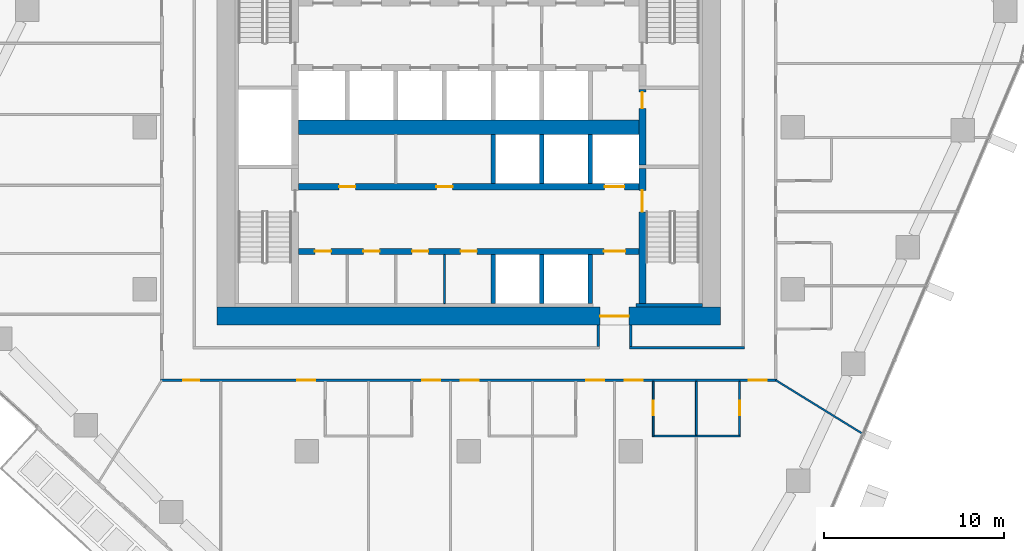
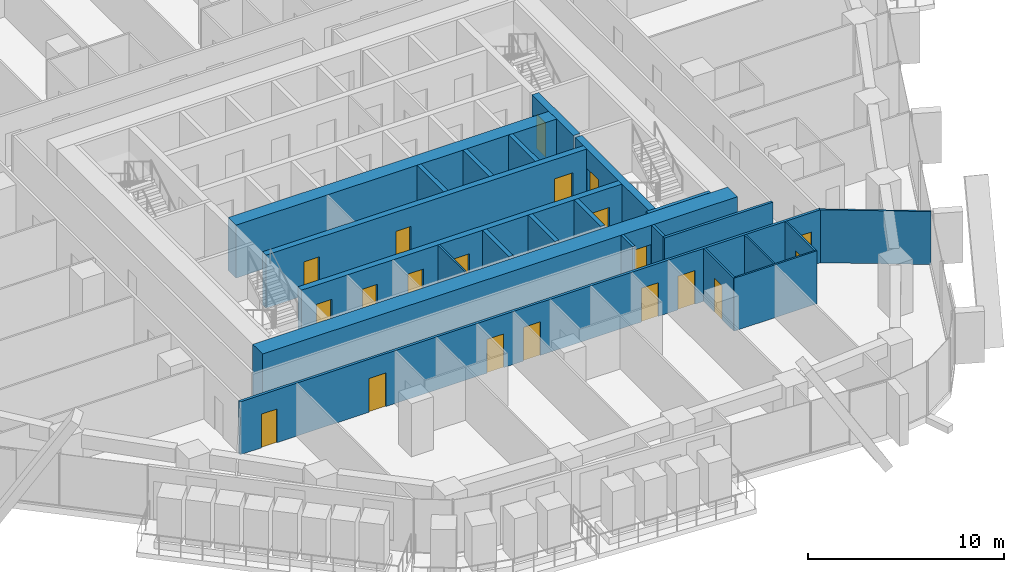
# One storey, part 13 of 23: 23 walls, 20 doors, 20 openings.
"""IFC4 building model written with IfcOpenShell, lengths in metres."""

from ifc_helpers import new_model, si_unit, direction, frame, frame_2d, origin, place, context, subcontext, project, spatial, rectangle, extrude, material, layer, layer_set, type_object, element, fill, save


model = new_model("IFC4")

# Units and contexts
model_context = context("Model", 3, precision=1e-05, world=origin(), true_north=direction((0.0, 1.0)))
body_context = subcontext(model_context, "Body", "Model", "MODEL_VIEW")
ifc_project = project(units=[si_unit("LENGTHUNIT", "METRE"), si_unit("AREAUNIT", "SQUARE_METRE"), si_unit("VOLUMEUNIT", "CUBIC_METRE"), si_unit("PLANEANGLEUNIT", "RADIAN"), si_unit("MASSUNIT", "GRAM", prefix="KILO")], contexts=[model_context])

# Site, building, storey
site_placement = place(None, origin())
site = spatial("IfcSite", under=ifc_project, at=site_placement, CompositionType="ELEMENT")
building_placement = place(site_placement, origin())
building = spatial("IfcBuilding", under=site, at=building_placement, Name="Dongbaek Canopy Tower", CompositionType="ELEMENT")
storey_placement = place(building_placement, frame((0.0, 0.0, 121.10009765625)))
storey = spatial("IfcBuildingStorey", under=building, at=storey_placement, Name="L26", CompositionType="ELEMENT", Elevation=121.10009765625)

# Wall
ifc_material_1 = material(Name="Concrete C60/75", Category="concrete")
ifc_layer_1 = layer(ifc_material_1, 0.800048828125)
ifc_layer_set_1 = layer_set([ifc_layer_1], Name="Core central wall 800 Concrete C60/75")
wall_type_1 = type_object("IfcWallType", Name="Core central wall 800 Concrete C60/75", PredefinedType="SHEAR", material=ifc_layer_set_1)
wall_1_placement = place(storey_placement, frame((-9.449951171875, 0.0, 0.0), z_axis=(0.0, 0.0, 1.0), x_axis=(1.0, 0.0, 0.0)))
element("IfcWall", 1, at=wall_1_placement, inside=storey, type_object=wall_type_1, Name="Core wall", PredefinedType="SHEAR", context=body_context, shape_type="SweptSolid", body=[
    extrude(rectangle(XDim=18.89990234375, YDim=0.800048828125, at=frame_2d((9.449951171875, 0.0))), origin(), (0.0, 0.0, 1.0), 3.2998046875),
])

# Wall, openings, doors
ifc_material_2 = material(Name="Concrete C60/75", Category="concrete")
ifc_layer_2 = layer(ifc_material_2, 0.35009765625)
ifc_layer_set_2 = layer_set([ifc_layer_2], Name="Core lobby wall 350 Concrete C60/75")
wall_type_2 = type_object("IfcWallType", Name="Core lobby wall 350 Concrete C60/75", PredefinedType="SHEAR", material=ifc_layer_set_2)
wall_2_placement = place(storey_placement, frame((-9.449951171875, -3.300048828125, 0.0), z_axis=(0.0, 0.0, 1.0), x_axis=(1.0, 0.0, 0.0)))
wall_2 = element("IfcWall", 2, at=wall_2_placement, inside=storey, type_object=wall_type_2, Name="Core wall", PredefinedType="SHEAR", context=body_context, shape_type="SweptSolid", body=[
    extrude(rectangle(XDim=18.89990234375, YDim=0.35009765625, at=frame_2d((9.449951171875, 0.0))), origin(), (0.0, 0.0, 1.0), 3.2998046875),
])
opening_1_placement = place(wall_2_placement, frame((17.0, 0.0, 0.0)))
opening_1 = element("IfcOpeningElement", 3, at=opening_1_placement, cuts=wall_2, Name="Opening L26-D059", PredefinedType="OPENING", context=body_context, shape_type="SweptSolid", body=[
    extrude(rectangle(XDim=1.10009765625, YDim=2.10009765625, at=frame_2d((0.550048828125, 1.050048828125))), frame((0.0, 0.18505859375, 0.0), z_axis=(0.0, -1.0, 0.0), x_axis=(1.0, 0.0, 0.0)), (0.0, 0.0, 1.0), 0.3701171875),
])
opening_2_placement = place(wall_2_placement, frame((2.25, 0.0, 0.0)))
opening_2 = element("IfcOpeningElement", 4, at=opening_2_placement, cuts=wall_2, Name="Opening L26-D062", PredefinedType="OPENING", context=body_context, shape_type="SweptSolid", body=[
    extrude(rectangle(XDim=0.89990234375, YDim=2.10009765625, at=frame_2d((0.449951171875, 1.050048828125))), frame((0.0, 0.18505859375, 0.0), z_axis=(0.0, -1.0, 0.0), x_axis=(1.0, 0.0, 0.0)), (0.0, 0.0, 1.0), 0.3701171875),
])
opening_3_placement = place(wall_2_placement, frame((7.64990234375, 0.0, 0.0)))
opening_3 = element("IfcOpeningElement", 5, at=opening_3_placement, cuts=wall_2, Name="Opening L26-D063", PredefinedType="OPENING", context=body_context, shape_type="SweptSolid", body=[
    extrude(rectangle(XDim=0.89990234375, YDim=2.10009765625, at=frame_2d((0.449951171875, 1.050048828125))), frame((0.0, 0.18505859375, 0.0), z_axis=(0.0, -1.0, 0.0), x_axis=(1.0, 0.0, 0.0)), (0.0, 0.0, 1.0), 0.3701171875),
])
ifc_material_3 = material(Name="Steel", Category="steel")
door_type_1 = type_object("IfcDoorType", Name="Core room door 900 x 2100", OperationType="SINGLE_SWING_LEFT", PredefinedType="DOOR", material=ifc_material_3)
door_1_placement = place(opening_2_placement, origin())
door_1 = element("IfcDoor", 6, at=door_1_placement, inside=storey, type_object=door_type_1, Name="Door L26-D062", OperationType="SINGLE_SWING_RIGHT", OverallHeight=2.10009765625, OverallWidth=0.89990234375, PredefinedType="DOOR", context=body_context, shape_type="SweptSolid", body=[
    extrude(rectangle(XDim=0.89990234375, YDim=2.10009765625, at=frame_2d((0.449951171875, 1.050048828125))), frame((0.0, 0.02490234375, 0.0), z_axis=(0.0, -1.0, 0.0), x_axis=(1.0, 0.0, 0.0)), (0.0, 0.0, 1.0), 0.050048828125),
])
fill(opening_2, door_1)
door_2_placement = place(opening_3_placement, origin())
door_2 = element("IfcDoor", 7, at=door_2_placement, inside=storey, type_object=door_type_1, Name="Door L26-D063", OperationType="SINGLE_SWING_LEFT", OverallHeight=2.10009765625, OverallWidth=0.89990234375, PredefinedType="DOOR", context=body_context, shape_type="SweptSolid", body=[
    extrude(rectangle(XDim=0.89990234375, YDim=2.10009765625, at=frame_2d((0.449951171875, 1.050048828125))), frame((0.0, 0.02490234375, 0.0), z_axis=(0.0, -1.0, 0.0), x_axis=(1.0, 0.0, 0.0)), (0.0, 0.0, 1.0), 0.050048828125),
])
fill(opening_3, door_2)
ifc_material_4 = material(Name="Stainless steel", Category="steel")
door_type_2 = type_object("IfcDoorType", Name="Lift landing door 1100 x 2100", OperationType="DOUBLE_DOOR_SLIDING", PredefinedType="DOOR", material=ifc_material_4)
door_3_placement = place(opening_1_placement, origin())
door_3 = element("IfcDoor", 8, at=door_3_placement, inside=storey, type_object=door_type_2, Name="Landing door SV2", OperationType="DOUBLE_DOOR_SLIDING", OverallHeight=2.10009765625, OverallWidth=1.10009765625, PredefinedType="DOOR", context=body_context, shape_type="SweptSolid", body=[
    extrude(rectangle(XDim=1.10009765625, YDim=2.10009765625, at=frame_2d((0.550048828125, 1.050048828125))), frame((0.0, 0.02490234375, 0.0), z_axis=(0.0, -1.0, 0.0), x_axis=(1.0, 0.0, 0.0)), (0.0, 0.0, 1.0), 0.050048828125),
])
fill(opening_1, door_3)

wall_3_placement = place(storey_placement, frame((9.449951171875, -6.89990234375, 0.0), z_axis=(0.0, 0.0, 1.0), x_axis=(-1.0, 0.0, 0.0)))
wall_3 = element("IfcWall", 9, at=wall_3_placement, inside=storey, type_object=wall_type_2, Name="Core wall", PredefinedType="SHEAR", context=body_context, shape_type="SweptSolid", body=[
    extrude(rectangle(XDim=18.89990234375, YDim=0.35009765625, at=frame_2d((9.449951171875, 0.0))), origin(), (0.0, 0.0, 1.0), 3.2998046875),
])
opening_4_placement = place(wall_3_placement, frame((0.75, 0.0, 0.0)))
opening_4 = element("IfcOpeningElement", 10, at=opening_4_placement, cuts=wall_3, Name="Opening L26-D061", PredefinedType="OPENING", context=body_context, shape_type="SweptSolid", body=[
    extrude(rectangle(XDim=1.199951171875, YDim=2.10009765625, at=frame_2d((0.60009765625, 1.050048828125))), frame((0.0, 0.18505859375, 0.0), z_axis=(0.0, -1.0, 0.0), x_axis=(1.0, 0.0, 0.0)), (0.0, 0.0, 1.0), 0.3701171875),
])
opening_5_placement = place(wall_3_placement, frame((17.10009765625, 0.0, 0.0)))
opening_5 = element("IfcOpeningElement", 11, at=opening_5_placement, cuts=wall_3, Name="Opening L26-D064", PredefinedType="OPENING", context=body_context, shape_type="SweptSolid", body=[
    extrude(rectangle(XDim=0.89990234375, YDim=2.10009765625, at=frame_2d((0.449951171875, 1.050048828125))), frame((0.0, 0.18505859375, 0.0), z_axis=(0.0, -1.0, 0.0), x_axis=(1.0, 0.0, 0.0)), (0.0, 0.0, 1.0), 0.3701171875),
])
opening_6_placement = place(wall_3_placement, frame((14.39990234375, 0.0, 0.0)))
opening_6 = element("IfcOpeningElement", 12, at=opening_6_placement, cuts=wall_3, Name="Opening L26-D065", PredefinedType="OPENING", context=body_context, shape_type="SweptSolid", body=[
    extrude(rectangle(XDim=0.89990234375, YDim=2.10009765625, at=frame_2d((0.449951171875, 1.050048828125))), frame((0.0, 0.18505859375, 0.0), z_axis=(0.0, -1.0, 0.0), x_axis=(1.0, 0.0, 0.0)), (0.0, 0.0, 1.0), 0.3701171875),
])
opening_7_placement = place(wall_3_placement, frame((11.699951171875, 0.0, 0.0)))
opening_7 = element("IfcOpeningElement", 13, at=opening_7_placement, cuts=wall_3, Name="Opening L26-D066", PredefinedType="OPENING", context=body_context, shape_type="SweptSolid", body=[
    extrude(rectangle(XDim=0.89990234375, YDim=2.10009765625, at=frame_2d((0.449951171875, 1.050048828125))), frame((0.0, 0.18505859375, 0.0), z_axis=(0.0, -1.0, 0.0), x_axis=(1.0, 0.0, 0.0)), (0.0, 0.0, 1.0), 0.3701171875),
])
opening_8_placement = place(wall_3_placement, frame((9.0, 0.0, 0.0)))
opening_8 = element("IfcOpeningElement", 14, at=opening_8_placement, cuts=wall_3, Name="Opening L26-D067", PredefinedType="OPENING", context=body_context, shape_type="SweptSolid", body=[
    extrude(rectangle(XDim=0.89990234375, YDim=2.10009765625, at=frame_2d((0.449951171875, 1.050048828125))), frame((0.0, 0.18505859375, 0.0), z_axis=(0.0, -1.0, 0.0), x_axis=(1.0, 0.0, 0.0)), (0.0, 0.0, 1.0), 0.3701171875),
])
door_4_placement = place(opening_5_placement, origin())
door_4 = element("IfcDoor", 15, at=door_4_placement, inside=storey, type_object=door_type_1, Name="Door L26-D064", OperationType="SINGLE_SWING_RIGHT", OverallHeight=2.10009765625, OverallWidth=0.89990234375, PredefinedType="DOOR", context=body_context, shape_type="SweptSolid", body=[
    extrude(rectangle(XDim=0.89990234375, YDim=2.10009765625, at=frame_2d((0.449951171875, 1.050048828125))), frame((0.0, 0.02490234375, 0.0), z_axis=(0.0, -1.0, 0.0), x_axis=(1.0, 0.0, 0.0)), (0.0, 0.0, 1.0), 0.050048828125),
])
fill(opening_5, door_4)
door_5_placement = place(opening_6_placement, origin())
door_5 = element("IfcDoor", 16, at=door_5_placement, inside=storey, type_object=door_type_1, Name="Door L26-D065", OperationType="SINGLE_SWING_LEFT", OverallHeight=2.10009765625, OverallWidth=0.89990234375, PredefinedType="DOOR", context=body_context, shape_type="SweptSolid", body=[
    extrude(rectangle(XDim=0.89990234375, YDim=2.10009765625, at=frame_2d((0.449951171875, 1.050048828125))), frame((0.0, 0.02490234375, 0.0), z_axis=(0.0, -1.0, 0.0), x_axis=(1.0, 0.0, 0.0)), (0.0, 0.0, 1.0), 0.050048828125),
])
fill(opening_6, door_5)
door_6_placement = place(opening_7_placement, origin())
door_6 = element("IfcDoor", 17, at=door_6_placement, inside=storey, type_object=door_type_1, Name="Door L26-D066", OperationType="SINGLE_SWING_RIGHT", OverallHeight=2.10009765625, OverallWidth=0.89990234375, PredefinedType="DOOR", context=body_context, shape_type="SweptSolid", body=[
    extrude(rectangle(XDim=0.89990234375, YDim=2.10009765625, at=frame_2d((0.449951171875, 1.050048828125))), frame((0.0, 0.02490234375, 0.0), z_axis=(0.0, -1.0, 0.0), x_axis=(1.0, 0.0, 0.0)), (0.0, 0.0, 1.0), 0.050048828125),
])
fill(opening_7, door_6)
door_7_placement = place(opening_8_placement, origin())
door_7 = element("IfcDoor", 18, at=door_7_placement, inside=storey, type_object=door_type_1, Name="Door L26-D067", OperationType="SINGLE_SWING_LEFT", OverallHeight=2.10009765625, OverallWidth=0.89990234375, PredefinedType="DOOR", context=body_context, shape_type="SweptSolid", body=[
    extrude(rectangle(XDim=0.89990234375, YDim=2.10009765625, at=frame_2d((0.449951171875, 1.050048828125))), frame((0.0, 0.02490234375, 0.0), z_axis=(0.0, -1.0, 0.0), x_axis=(1.0, 0.0, 0.0)), (0.0, 0.0, 1.0), 0.050048828125),
])
fill(opening_8, door_7)
ifc_material_5 = material(Name="Steel", Category="steel")
door_type_3 = type_object("IfcDoorType", Name="Fire lobby door 1200 x 2100", OperationType="SINGLE_SWING_LEFT", PredefinedType="DOOR", material=ifc_material_5)
door_8_placement = place(opening_4_placement, origin())
door_8 = element("IfcDoor", 19, at=door_8_placement, inside=storey, type_object=door_type_3, Name="Door L26-D061", OperationType="SINGLE_SWING_LEFT", OverallHeight=2.10009765625, OverallWidth=1.199951171875, PredefinedType="DOOR", context=body_context, shape_type="SweptSolid", body=[
    extrude(rectangle(XDim=1.199951171875, YDim=2.10009765625, at=frame_2d((0.60009765625, 1.050048828125))), frame((0.0, 0.02490234375, 0.0), z_axis=(0.0, -1.0, 0.0), x_axis=(1.0, 0.0, 0.0)), (0.0, 0.0, 1.0), 0.050048828125),
])
fill(opening_4, door_8)

# Wall, opening, door
ifc_material_6 = material(Name="Concrete C60/75", Category="concrete")
ifc_layer_3 = layer(ifc_material_6, 1.0)
ifc_layer_set_3 = layer_set([ifc_layer_3], Name="Core outer wall 1000 Concrete C60/75")
wall_type_3 = type_object("IfcWallType", Name="Core outer wall 1000 Concrete C60/75", PredefinedType="SHEAR", material=ifc_layer_set_3)
wall_4_placement = place(storey_placement, frame((14.0, -10.5, 0.0), z_axis=(0.0, 0.0, 1.0), x_axis=(-1.0, 0.0, 0.0)))
wall_4 = element("IfcWall", 20, at=wall_4_placement, inside=storey, type_object=wall_type_3, Name="Core wall", PredefinedType="SHEAR", context=body_context, shape_type="SweptSolid", body=[
    extrude(rectangle(XDim=28.0, YDim=1.0, at=frame_2d((14.0, 0.0))), origin(), (0.0, 0.0, 1.0), 3.2998046875),
])
opening_9_placement = place(wall_4_placement, frame((5.10009765625, 0.0, 0.0)))
opening_9 = element("IfcOpeningElement", 21, at=opening_9_placement, cuts=wall_4, Name="Opening L26-D060", PredefinedType="OPENING", context=body_context, shape_type="SweptSolid", body=[
    extrude(rectangle(XDim=1.60009765625, YDim=2.10009765625, at=frame_2d((0.800048828125, 1.050048828125))), frame((0.0, 0.510009765625, 0.0), z_axis=(0.0, -1.0, 0.0), x_axis=(1.0, 0.0, 0.0)), (0.0, 0.0, 1.0), 1.02001953125),
])
ifc_material_7 = material(Name="Steel", Category="steel")
door_type_4 = type_object("IfcDoorType", Name="Core exit door 1600 x 2100", OperationType="DOUBLE_DOOR_SINGLE_SWING", PredefinedType="DOOR", material=ifc_material_7)
door_9_placement = place(opening_9_placement, origin())
door_9 = element("IfcDoor", 22, at=door_9_placement, inside=storey, type_object=door_type_4, Name="Core exit door", OperationType="DOUBLE_DOOR_SINGLE_SWING", OverallHeight=2.10009765625, OverallWidth=1.60009765625, PredefinedType="DOOR", context=body_context, shape_type="SweptSolid", body=[
    extrude(rectangle(XDim=1.60009765625, YDim=2.10009765625, at=frame_2d((0.800048828125, 1.050048828125))), frame((0.0, 0.02490234375, 0.0), z_axis=(0.0, -1.0, 0.0), x_axis=(1.0, 0.0, 0.0)), (0.0, 0.0, 1.0), 0.050048828125),
])
fill(opening_9, door_9)

# Wall
ifc_material_8 = material(Name="Concrete C60/75", Category="concrete")
ifc_layer_4 = layer(ifc_material_8, 0.199951171875)
ifc_layer_set_4 = layer_set([ifc_layer_4], Name="Core wall lining 200 Concrete C60/75")
wall_type_4 = type_object("IfcWallType", Name="Core wall lining 200 Concrete C60/75", PredefinedType="SHEAR", material=ifc_layer_set_4)
wall_5_placement = place(storey_placement, frame((13.0, -9.89990234375, 0.0), z_axis=(0.0, 0.0, 1.0), x_axis=(-1.0, 0.0, 0.0)))
element("IfcWall", 23, at=wall_5_placement, inside=storey, type_object=wall_type_4, Name="Core wall lining", PredefinedType="SHEAR", context=body_context, shape_type="SweptSolid", body=[
    extrude(rectangle(XDim=3.699951171875, YDim=0.199951171875, at=frame_2d((1.85009765625, 0.0))), origin(), (0.0, 0.0, 1.0), 3.2998046875),
])

# Wall, openings, doors
ifc_material_9 = material(Name="Gypsum board partition, steel stud, 2 x 15 mm fire board", Category="steel")
ifc_layer_5 = layer(ifc_material_9, 0.14990234375)
ifc_layer_set_5 = layer_set([ifc_layer_5], Name="Fire-rated partition 150 gypsum board")
wall_type_5 = type_object("IfcWallType", Name="Fire-rated partition 150 gypsum board", PredefinedType="PARTITIONING", material=ifc_layer_set_5)
wall_6_placement = place(storey_placement, frame((17.125, -14.050048828125, 0.0), z_axis=(0.0, 0.0, 1.0), x_axis=(-1.0, 0.0, 0.0)))
wall_6 = element("IfcWall", 24, at=wall_6_placement, inside=storey, type_object=wall_type_5, Name="Corridor partition", PredefinedType="PARTITIONING", context=body_context, shape_type="SweptSolid", body=[
    extrude(rectangle(XDim=34.25, YDim=0.14990234375, at=frame_2d((17.125, 0.0))), origin(), (0.0, 0.0, 1.0), 3.2998046875),
])
opening_10_placement = place(wall_6_placement, frame((32.088623046875, 0.0, 0.0)))
opening_10 = element("IfcOpeningElement", 25, at=opening_10_placement, cuts=wall_6, Name="Opening L26-D004", PredefinedType="OPENING", context=body_context, shape_type="SweptSolid", body=[
    extrude(rectangle(XDim=0.89990234375, YDim=2.10009765625, at=frame_2d((0.449951171875, 1.050048828125))), frame((0.0, 0.0849609375, 0.0), z_axis=(0.0, -1.0, 0.0), x_axis=(1.0, 0.0, 0.0)), (0.0, 0.0, 1.0), 0.169921875),
])
opening_11_placement = place(wall_6_placement, frame((25.666015625, 0.0, 0.0)))
opening_11 = element("IfcOpeningElement", 26, at=opening_11_placement, cuts=wall_6, Name="Opening L26-D006", PredefinedType="OPENING", context=body_context, shape_type="SweptSolid", body=[
    extrude(rectangle(XDim=1.0, YDim=2.10009765625, at=frame_2d((0.5, 1.050048828125))), frame((0.0, 0.0849609375, 0.0), z_axis=(0.0, -1.0, 0.0), x_axis=(1.0, 0.0, 0.0)), (0.0, 0.0, 1.0), 0.169921875),
])
opening_12_placement = place(wall_6_placement, frame((18.714111328125, 0.0, 0.0)))
opening_12 = element("IfcOpeningElement", 27, at=opening_12_placement, cuts=wall_6, Name="Opening L26-D008", PredefinedType="OPENING", context=body_context, shape_type="SweptSolid", body=[
    extrude(rectangle(XDim=1.0, YDim=2.10009765625, at=frame_2d((0.5, 1.050048828125))), frame((0.0, 0.0849609375, 0.0), z_axis=(0.0, -1.0, 0.0), x_axis=(1.0, 0.0, 0.0)), (0.0, 0.0, 1.0), 0.169921875),
])
opening_13_placement = place(wall_6_placement, frame((16.557861328125, 0.0, 0.0)))
opening_13 = element("IfcOpeningElement", 28, at=opening_13_placement, cuts=wall_6, Name="Opening L26-D010", PredefinedType="OPENING", context=body_context, shape_type="SweptSolid", body=[
    extrude(rectangle(XDim=1.0, YDim=2.10009765625, at=frame_2d((0.5, 1.050048828125))), frame((0.0, 0.0849609375, 0.0), z_axis=(0.0, -1.0, 0.0), x_axis=(1.0, 0.0, 0.0)), (0.0, 0.0, 1.0), 0.169921875),
])
opening_14_placement = place(wall_6_placement, frame((9.601806640625, 0.0, 0.0)))
opening_14 = element("IfcOpeningElement", 29, at=opening_14_placement, cuts=wall_6, Name="Opening L26-D012", PredefinedType="OPENING", context=body_context, shape_type="SweptSolid", body=[
    extrude(rectangle(XDim=1.0, YDim=2.10009765625, at=frame_2d((0.5, 1.050048828125))), frame((0.0, 0.0849609375, 0.0), z_axis=(0.0, -1.0, 0.0), x_axis=(1.0, 0.0, 0.0)), (0.0, 0.0, 1.0), 0.169921875),
])
opening_15_placement = place(wall_6_placement, frame((7.45068359375, 0.0, 0.0)))
opening_15 = element("IfcOpeningElement", 30, at=opening_15_placement, cuts=wall_6, Name="Opening L26-D014", PredefinedType="OPENING", context=body_context, shape_type="SweptSolid", body=[
    extrude(rectangle(XDim=1.0, YDim=2.10009765625, at=frame_2d((0.5, 1.050048828125))), frame((0.0, 0.0849609375, 0.0), z_axis=(0.0, -1.0, 0.0), x_axis=(1.0, 0.0, 0.0)), (0.0, 0.0, 1.0), 0.169921875),
])
opening_16_placement = place(wall_6_placement, frame((0.576416015625, 0.0, 0.0)))
opening_16 = element("IfcOpeningElement", 31, at=opening_16_placement, cuts=wall_6, Name="Opening L26-D016", PredefinedType="OPENING", context=body_context, shape_type="SweptSolid", body=[
    extrude(rectangle(XDim=1.0, YDim=2.10009765625, at=frame_2d((0.5, 1.050048828125))), frame((0.0, 0.0849609375, 0.0), z_axis=(0.0, -1.0, 0.0), x_axis=(1.0, 0.0, 0.0)), (0.0, 0.0, 1.0), 0.169921875),
])
ifc_material_10 = material(Name="Timber veneered door leaf", Category="wood")
door_type_5 = type_object("IfcDoorType", Name="Guest room door 1000 x 2100", OperationType="SINGLE_SWING_LEFT", PredefinedType="DOOR", material=ifc_material_10)
door_10_placement = place(opening_11_placement, origin())
door_10 = element("IfcDoor", 32, at=door_10_placement, inside=storey, type_object=door_type_5, Name="Door L26-D006", OperationType="SINGLE_SWING_LEFT", OverallHeight=2.10009765625, OverallWidth=1.0, PredefinedType="DOOR", context=body_context, shape_type="SweptSolid", body=[
    extrude(rectangle(XDim=1.0, YDim=2.10009765625, at=frame_2d((0.5, 1.050048828125))), frame((0.0, 0.02490234375, 0.0), z_axis=(0.0, -1.0, 0.0), x_axis=(1.0, 0.0, 0.0)), (0.0, 0.0, 1.0), 0.050048828125),
])
fill(opening_11, door_10)
door_11_placement = place(opening_12_placement, origin())
door_11 = element("IfcDoor", 33, at=door_11_placement, inside=storey, type_object=door_type_5, Name="Door L26-D008", OperationType="SINGLE_SWING_RIGHT", OverallHeight=2.10009765625, OverallWidth=1.0, PredefinedType="DOOR", context=body_context, shape_type="SweptSolid", body=[
    extrude(rectangle(XDim=1.0, YDim=2.10009765625, at=frame_2d((0.5, 1.050048828125))), frame((0.0, 0.02490234375, 0.0), z_axis=(0.0, -1.0, 0.0), x_axis=(1.0, 0.0, 0.0)), (0.0, 0.0, 1.0), 0.050048828125),
])
fill(opening_12, door_11)
door_12_placement = place(opening_13_placement, origin())
door_12 = element("IfcDoor", 34, at=door_12_placement, inside=storey, type_object=door_type_5, Name="Door L26-D010", OperationType="SINGLE_SWING_LEFT", OverallHeight=2.10009765625, OverallWidth=1.0, PredefinedType="DOOR", context=body_context, shape_type="SweptSolid", body=[
    extrude(rectangle(XDim=1.0, YDim=2.10009765625, at=frame_2d((0.5, 1.050048828125))), frame((0.0, 0.02490234375, 0.0), z_axis=(0.0, -1.0, 0.0), x_axis=(1.0, 0.0, 0.0)), (0.0, 0.0, 1.0), 0.050048828125),
])
fill(opening_13, door_12)
door_13_placement = place(opening_14_placement, origin())
door_13 = element("IfcDoor", 35, at=door_13_placement, inside=storey, type_object=door_type_5, Name="Door L26-D012", OperationType="SINGLE_SWING_RIGHT", OverallHeight=2.10009765625, OverallWidth=1.0, PredefinedType="DOOR", context=body_context, shape_type="SweptSolid", body=[
    extrude(rectangle(XDim=1.0, YDim=2.10009765625, at=frame_2d((0.5, 1.050048828125))), frame((0.0, 0.02490234375, 0.0), z_axis=(0.0, -1.0, 0.0), x_axis=(1.0, 0.0, 0.0)), (0.0, 0.0, 1.0), 0.050048828125),
])
fill(opening_14, door_13)
door_14_placement = place(opening_15_placement, origin())
door_14 = element("IfcDoor", 36, at=door_14_placement, inside=storey, type_object=door_type_5, Name="Door L26-D014", OperationType="SINGLE_SWING_LEFT", OverallHeight=2.10009765625, OverallWidth=1.0, PredefinedType="DOOR", context=body_context, shape_type="SweptSolid", body=[
    extrude(rectangle(XDim=1.0, YDim=2.10009765625, at=frame_2d((0.5, 1.050048828125))), frame((0.0, 0.02490234375, 0.0), z_axis=(0.0, -1.0, 0.0), x_axis=(1.0, 0.0, 0.0)), (0.0, 0.0, 1.0), 0.050048828125),
])
fill(opening_15, door_14)
door_15_placement = place(opening_16_placement, origin())
door_15 = element("IfcDoor", 37, at=door_15_placement, inside=storey, type_object=door_type_5, Name="Door L26-D016", OperationType="SINGLE_SWING_RIGHT", OverallHeight=2.10009765625, OverallWidth=1.0, PredefinedType="DOOR", context=body_context, shape_type="SweptSolid", body=[
    extrude(rectangle(XDim=1.0, YDim=2.10009765625, at=frame_2d((0.5, 1.050048828125))), frame((0.0, 0.02490234375, 0.0), z_axis=(0.0, -1.0, 0.0), x_axis=(1.0, 0.0, 0.0)), (0.0, 0.0, 1.0), 0.050048828125),
])
fill(opening_16, door_15)
ifc_material_11 = material(Name="Timber veneered door leaf", Category="wood")
door_type_6 = type_object("IfcDoorType", Name="Room door 900 x 2100", OperationType="SINGLE_SWING_LEFT", PredefinedType="DOOR", material=ifc_material_11)
door_16_placement = place(opening_10_placement, origin())
door_16 = element("IfcDoor", 38, at=door_16_placement, inside=storey, type_object=door_type_6, Name="Door L26-D004", OperationType="SINGLE_SWING_RIGHT", OverallHeight=2.10009765625, OverallWidth=0.89990234375, PredefinedType="DOOR", context=body_context, shape_type="SweptSolid", body=[
    extrude(rectangle(XDim=0.89990234375, YDim=2.10009765625, at=frame_2d((0.449951171875, 1.050048828125))), frame((0.0, 0.02490234375, 0.0), z_axis=(0.0, -1.0, 0.0), x_axis=(1.0, 0.0, 0.0)), (0.0, 0.0, 1.0), 0.050048828125),
])
fill(opening_10, door_16)

# Walls
wall_7_placement = place(storey_placement, frame((8.925048828125, -12.25, 0.0), z_axis=(0.0, 0.0, 1.0), x_axis=(1.0, 0.0, 0.0)))
element("IfcWall", 39, at=wall_7_placement, inside=storey, type_object=wall_type_5, Name="Corridor partition", PredefinedType="PARTITIONING", context=body_context, shape_type="SweptSolid", body=[
    extrude(rectangle(XDim=6.39990234375, YDim=0.14990234375, at=frame_2d((3.199951171875, 0.0))), origin(), (0.0, 0.0, 1.0), 3.2998046875),
])
for number, where, z_axis, x_axis, name in (
    (40, (9.0, -12.175048828125, 0.0), (0.0, 0.0, 1.0), (0.0, 1.0, 0.0), "Corridor partition"),
    (41, (7.199951171875, -12.175048828125, 0.0), (0.0, 0.0, 1.0), (0.0, 1.0, 0.0), "Corridor partition"),
):
    element("IfcWall", number, at=place(storey_placement, frame(where, z_axis=z_axis, x_axis=x_axis)), inside=storey, type_object=wall_type_5, Name=name, PredefinedType="PARTITIONING", context=body_context, shape_type="SweptSolid", body=[
        extrude(rectangle(XDim=1.175048828125, YDim=0.14990234375, at=frame_2d((0.58740234375, 0.0))), origin(), (0.0, 0.0, 1.0), 3.2998046875),
    ])
ifc_material_12 = material(Name="Concrete C40/50", Category="concrete")
ifc_layer_6 = layer(ifc_material_12, 0.25)
ifc_layer_set_6 = layer_set([ifc_layer_6], Name="Lift shaft wall 250 Concrete C40/50")
wall_type_6 = type_object("IfcWallType", Name="Lift shaft wall 250 Concrete C40/50", PredefinedType="SOLIDWALL", material=ifc_layer_set_6)
for number, where, z_axis, x_axis, name in (
    (42, (6.75, -9.800048828125, 0.0), (0.0, 0.0, 1.0), (0.0, 1.0, 0.0), "Lift shaft wall"),
    (43, (6.75, -3.125, 0.0), (0.0, 0.0, 1.0), (0.0, 1.0, 0.0), "Lift shaft wall"),
    (44, (4.050048828125, -9.800048828125, 0.0), (0.0, 0.0, 1.0), (0.0, 1.0, 0.0), "Lift shaft wall"),
    (45, (4.050048828125, -3.125, 0.0), (0.0, 0.0, 1.0), (0.0, 1.0, 0.0), "Lift shaft wall"),
    (46, (1.35009765625, -9.800048828125, 0.0), (0.0, 0.0, 1.0), (0.0, 1.0, 0.0), "Lift shaft wall"),
    (47, (1.35009765625, -3.125, 0.0), (0.0, 0.0, 1.0), (0.0, 1.0, 0.0), "Lift shaft wall"),
):
    element("IfcWall", number, at=place(storey_placement, frame(where, z_axis=z_axis, x_axis=x_axis)), inside=storey, type_object=wall_type_6, Name=name, PredefinedType="SOLIDWALL", context=body_context, shape_type="SweptSolid", body=[
        extrude(rectangle(XDim=2.72509765625, YDim=0.25, at=frame_2d((1.362548828125, 0.0))), origin(), (0.0, 0.0, 1.0), 3.2998046875),
    ])
ifc_material_13 = material(Name="Gypsum board partition, steel stud, 2 x 12.5 mm board", Category="steel")
ifc_layer_7 = layer(ifc_material_13, 0.10009765625)
ifc_layer_set_7 = layer_set([ifc_layer_7], Name="Partition 100 gypsum board")
wall_type_7 = type_object("IfcWallType", Name="Partition 100 gypsum board", PredefinedType="PARTITIONING", material=ifc_layer_set_7)
wall_8_placement = place(storey_placement, frame((10.197265625, -17.14990234375, 0.0), z_axis=(0.0, 0.0, 1.0), x_axis=(1.0, 0.0, 0.0)))
element("IfcWall", 48, at=wall_8_placement, inside=storey, type_object=wall_type_7, Name="Partition", PredefinedType="PARTITIONING", context=body_context, shape_type="SweptSolid", body=[
    extrude(rectangle(XDim=4.89990234375, YDim=0.10009765625, at=frame_2d((2.449951171875, 0.0))), origin(), (0.0, 0.0, 1.0), 3.2998046875),
])

# Wall, opening, door
wall_9_placement = place(storey_placement, frame((15.047119140625, -17.10009765625, 0.0), z_axis=(0.0, 0.0, 1.0), x_axis=(0.0, 1.0, 0.0)))
wall_9 = element("IfcWall", 49, at=wall_9_placement, inside=storey, type_object=wall_type_7, Name="Partition", PredefinedType="PARTITIONING", context=body_context, shape_type="SweptSolid", body=[
    extrude(rectangle(XDim=2.97509765625, YDim=0.10009765625, at=frame_2d((1.487548828125, 0.0))), origin(), (0.0, 0.0, 1.0), 3.2998046875),
])
opening_17_placement = place(wall_9_placement, frame((1.10009765625, 0.0, 0.0)))
opening_17 = element("IfcOpeningElement", 50, at=opening_17_placement, cuts=wall_9, Name="Opening L26-D015", PredefinedType="OPENING", context=body_context, shape_type="SweptSolid", body=[
    extrude(rectangle(XDim=0.800048828125, YDim=2.10009765625, at=frame_2d((0.39990234375, 1.050048828125))), frame((0.0, 0.06005859375, 0.0), z_axis=(0.0, -1.0, 0.0), x_axis=(1.0, 0.0, 0.0)), (0.0, 0.0, 1.0), 0.1201171875),
])
ifc_material_14 = material(Name="Timber veneered door leaf", Category="wood")
door_type_7 = type_object("IfcDoorType", Name="En-suite door 800 x 2100", OperationType="SINGLE_SWING_LEFT", PredefinedType="DOOR", material=ifc_material_14)
door_17_placement = place(opening_17_placement, origin())
door_17 = element("IfcDoor", 51, at=door_17_placement, inside=storey, type_object=door_type_7, Name="Door L26-D015", OperationType="SINGLE_SWING_LEFT", OverallHeight=2.10009765625, OverallWidth=0.800048828125, PredefinedType="DOOR", context=body_context, shape_type="SweptSolid", body=[
    extrude(rectangle(XDim=0.800048828125, YDim=2.10009765625, at=frame_2d((0.39990234375, 1.050048828125))), frame((0.0, 0.02490234375, 0.0), z_axis=(0.0, -1.0, 0.0), x_axis=(1.0, 0.0, 0.0)), (0.0, 0.0, 1.0), 0.050048828125),
])
fill(opening_17, door_17)

# Wall
wall_10_placement = place(storey_placement, frame((12.64697265625, -17.10009765625, 0.0), z_axis=(0.0, 0.0, 1.0), x_axis=(0.0, 1.0, 0.0)))
element("IfcWall", 52, at=wall_10_placement, inside=storey, type_object=wall_type_7, Name="Partition", PredefinedType="PARTITIONING", context=body_context, shape_type="SweptSolid", body=[
    extrude(rectangle(XDim=2.97509765625, YDim=0.10009765625, at=frame_2d((1.487548828125, 0.0))), origin(), (0.0, 0.0, 1.0), 3.2998046875),
])

# Wall, opening, door
wall_11_placement = place(storey_placement, frame((10.2470703125, -14.125, 0.0), z_axis=(0.0, 0.0, 1.0), x_axis=(0.0, -1.0, 0.0)))
wall_11 = element("IfcWall", 53, at=wall_11_placement, inside=storey, type_object=wall_type_7, Name="Partition", PredefinedType="PARTITIONING", context=body_context, shape_type="SweptSolid", body=[
    extrude(rectangle(XDim=3.02490234375, YDim=0.10009765625, at=frame_2d((1.512451171875, 0.0))), origin(), (0.0, 0.0, 1.0), 3.2998046875),
])
opening_18_placement = place(wall_11_placement, frame((1.074951171875, 0.0, 0.0)))
opening_18 = element("IfcOpeningElement", 54, at=opening_18_placement, cuts=wall_11, Name="Opening L26-D013", PredefinedType="OPENING", context=body_context, shape_type="SweptSolid", body=[
    extrude(rectangle(XDim=0.800048828125, YDim=2.10009765625, at=frame_2d((0.39990234375, 1.050048828125))), frame((0.0, 0.06005859375, 0.0), z_axis=(0.0, -1.0, 0.0), x_axis=(1.0, 0.0, 0.0)), (0.0, 0.0, 1.0), 0.1201171875),
])
door_18_placement = place(opening_18_placement, origin())
door_18 = element("IfcDoor", 55, at=door_18_placement, inside=storey, type_object=door_type_7, Name="Door L26-D013", OperationType="SINGLE_SWING_RIGHT", OverallHeight=2.10009765625, OverallWidth=0.800048828125, PredefinedType="DOOR", context=body_context, shape_type="SweptSolid", body=[
    extrude(rectangle(XDim=0.800048828125, YDim=2.10009765625, at=frame_2d((0.39990234375, 1.050048828125))), frame((0.0, 0.02490234375, 0.0), z_axis=(0.0, -1.0, 0.0), x_axis=(1.0, 0.0, 0.0)), (0.0, 0.0, 1.0), 0.050048828125),
])
fill(opening_18, door_18)

# Walls
wall_12_placement = place(storey_placement, frame((17.0498046875, -14.05029296875, 0.0), z_axis=(0.0, 0.0, 1.0), x_axis=(0.851278656023, -0.524713874221, 0.0)))
element("IfcWall", 56, at=wall_12_placement, inside=storey, type_object=wall_type_7, Name="Partition", PredefinedType="PARTITIONING", context=body_context, shape_type="SweptSolid", body=[
    extrude(rectangle(XDim=5.69970703125, YDim=0.10009765625, at=frame_2d((2.849853515625, 0.0))), origin(), (0.0, 0.0, 1.0), 3.2998046875),
])
wall_13_placement = place(storey_placement, frame((-1.35009765625, -9.800048828125, 0.0), z_axis=(0.0, 0.0, 1.0), x_axis=(0.0, 1.0, 0.0)))
element("IfcWall", 57, at=wall_13_placement, inside=storey, type_object=wall_type_7, Name="Core partition", PredefinedType="PARTITIONING", context=body_context, shape_type="SweptSolid", body=[
    extrude(rectangle(XDim=2.72509765625, YDim=0.10009765625, at=frame_2d((1.362548828125, 0.0))), origin(), (0.0, 0.0, 1.0), 3.2998046875),
])

# Wall, opening, door
ifc_material_15 = material(Name="Concrete C60/75", Category="concrete")
ifc_layer_8 = layer(ifc_material_15, 0.39990234375)
ifc_layer_set_8 = layer_set([ifc_layer_8], Name="Stair wall 400 Concrete C60/75")
wall_type_8 = type_object("IfcWallType", Name="Stair wall 400 Concrete C60/75", PredefinedType="SHEAR", material=ifc_layer_set_8)
wall_14_placement = place(storey_placement, frame((9.64990234375, -2.300048828125, 0.0), z_axis=(0.0, 0.0, 1.0), x_axis=(0.0, -1.0, 0.0)))
wall_14 = element("IfcWall", 58, at=wall_14_placement, inside=storey, type_object=wall_type_8, Name="Stair wall", PredefinedType="SHEAR", context=body_context, shape_type="SweptSolid", body=[
    extrude(rectangle(XDim=7.5, YDim=0.39990234375, at=frame_2d((3.75, 0.0))), origin(), (0.0, 0.0, 1.0), 3.2998046875),
])
opening_19_placement = place(wall_14_placement, frame((1.199951171875, 0.0, 0.0)))
opening_19 = element("IfcOpeningElement", 59, at=opening_19_placement, cuts=wall_14, Name="Opening L26-D070", PredefinedType="OPENING", context=body_context, shape_type="SweptSolid", body=[
    extrude(rectangle(XDim=1.199951171875, YDim=2.10009765625, at=frame_2d((0.60009765625, 1.050048828125))), frame((0.0, 0.2099609375, 0.0), z_axis=(0.0, -1.0, 0.0), x_axis=(1.0, 0.0, 0.0)), (0.0, 0.0, 1.0), 0.419921875),
])
ifc_material_16 = material(Name="Steel", Category="steel")
door_type_8 = type_object("IfcDoorType", Name="Stair door 1200 x 2100", OperationType="SINGLE_SWING_LEFT", PredefinedType="DOOR", material=ifc_material_16)
door_19_placement = place(opening_19_placement, origin())
door_19 = element("IfcDoor", 60, at=door_19_placement, inside=storey, type_object=door_type_8, Name="Stair B door", OperationType="SINGLE_SWING_RIGHT", OverallHeight=2.10009765625, OverallWidth=1.199951171875, PredefinedType="DOOR", context=body_context, shape_type="SweptSolid", body=[
    extrude(rectangle(XDim=1.199951171875, YDim=2.10009765625, at=frame_2d((0.60009765625, 1.050048828125))), frame((0.0, 0.02490234375, 0.0), z_axis=(0.0, -1.0, 0.0), x_axis=(1.0, 0.0, 0.0)), (0.0, 0.0, 1.0), 0.050048828125),
])
fill(opening_19, door_19)

wall_15_placement = place(storey_placement, frame((9.64990234375, 2.10009765625, 0.0), z_axis=(0.0, 0.0, 1.0), x_axis=(0.0, -1.0, 0.0)))
wall_15 = element("IfcWall", 61, at=wall_15_placement, inside=storey, type_object=wall_type_8, Name="Stair wall", PredefinedType="SHEAR", context=body_context, shape_type="SweptSolid", body=[
    extrude(rectangle(XDim=4.2001953125, YDim=0.39990234375, at=frame_2d((2.10009765625, 0.0))), origin(), (0.0, 0.0, 1.0), 3.2998046875),
])
opening_20_placement = place(wall_15_placement, frame((0.14990234375, 0.0, 0.0)))
opening_20 = element("IfcOpeningElement", 62, at=opening_20_placement, cuts=wall_15, Name="Opening L26-D043", PredefinedType="OPENING", context=body_context, shape_type="SweptSolid", body=[
    extrude(rectangle(XDim=0.89990234375, YDim=2.10009765625, at=frame_2d((0.449951171875, 1.050048828125))), frame((0.0, 0.2099609375, 0.0), z_axis=(0.0, -1.0, 0.0), x_axis=(1.0, 0.0, 0.0)), (0.0, 0.0, 1.0), 0.419921875),
])
door_20_placement = place(opening_20_placement, origin())
door_20 = element("IfcDoor", 63, at=door_20_placement, inside=storey, type_object=door_type_1, Name="Door L26-D043", OperationType="SINGLE_SWING_RIGHT", OverallHeight=2.10009765625, OverallWidth=0.89990234375, PredefinedType="DOOR", context=body_context, shape_type="SweptSolid", body=[
    extrude(rectangle(XDim=0.89990234375, YDim=2.10009765625, at=frame_2d((0.449951171875, 1.050048828125))), frame((0.0, 0.02490234375, 0.0), z_axis=(0.0, -1.0, 0.0), x_axis=(1.0, 0.0, 0.0)), (0.0, 0.0, 1.0), 0.050048828125),
])
fill(opening_20, door_20)

save(model, "model.ifc")
